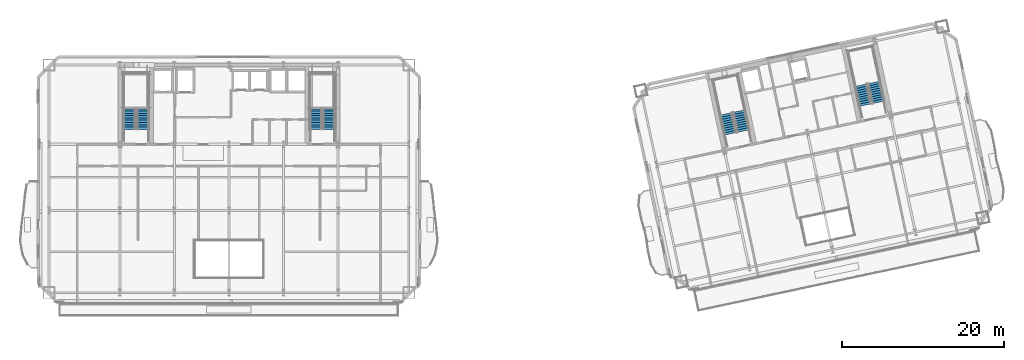
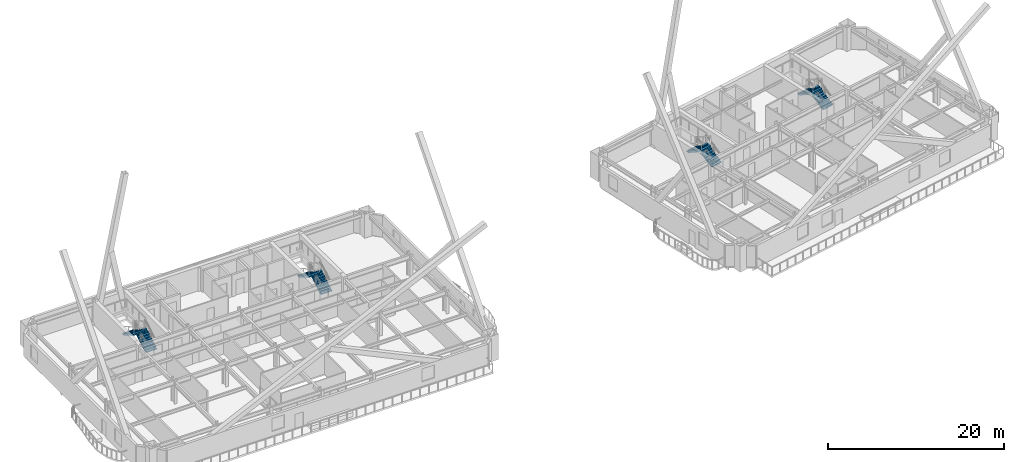
# One storey, part 16 of 22: 8 stair flights, 4 elements without a shape of their own.
"""IFC4 building model written with IfcOpenShell, lengths in metres."""

from ifc_helpers import new_model, si_unit, direction, frame, origin, place, context, subcontext, project, spatial, polyline, outline, extrude, material, type_object, element, aggregate, save


model = new_model("IFC4")

# Units and contexts
model_context = context("Model", 3, precision=1e-05, world=origin(), true_north=direction((0.0, 1.0)))
body_context = subcontext(model_context, "Body", "Model", "MODEL_VIEW")
ifc_project = project(units=[si_unit("LENGTHUNIT", "METRE"), si_unit("AREAUNIT", "SQUARE_METRE"), si_unit("VOLUMEUNIT", "CUBIC_METRE"), si_unit("PLANEANGLEUNIT", "RADIAN"), si_unit("MASSUNIT", "GRAM", prefix="KILO")], contexts=[model_context])

# Site, building, storey
site_placement = place(None, origin())
site = spatial("IfcSite", under=ifc_project, at=site_placement, CompositionType="ELEMENT")
building_placement = place(site_placement, origin())
building = spatial("IfcBuilding", under=site, at=building_placement, Name="Haevon Station Towers", CompositionType="ELEMENT")
storey_placement = place(building_placement, frame((0.0, 0.0, 93.300048828125)))
storey = spatial("IfcBuildingStorey", under=building, at=storey_placement, Name="L24", CompositionType="ELEMENT", Elevation=93.300048828125)

# Stair, stair flights
ifc_material = material(Name="Concrete C40/50", Category="concrete")
stair_type = type_object("IfcStairType", Name="STR-DL1450", PredefinedType="USERDEFINED", material=ifc_material)
stair_1_placement = place(storey_placement, origin())
stair_1 = element("IfcStair", 1, at=stair_1_placement, inside=storey, type_object=stair_type, Name="L24 Escape Stair ST1", ObjectType="TWO_RETURN_STAIR", PredefinedType="USERDEFINED")
stair_flight_type = type_object("IfcStairFlightType", Name="STF-ST1450", PredefinedType="STRAIGHT", material=ifc_material)
stair_flight_1_placement = place(storey_placement, frame((26.85498046875, 40.050048828125, 0.0), z_axis=(0.0, 0.0, 1.0), x_axis=(0.0, 1.0, 0.0)))
stair_flight_1 = element("IfcStairFlight", 2, at=stair_flight_1_placement, type_object=stair_flight_type, Name="L24 ST1 Flight 1", NumberOfRisers=10, NumberOfTreads=9, PredefinedType="STRAIGHT", RiserHeight=0.165, TreadLength=0.28, context=body_context, shape_type="SweptSolid", body=[
    extrude(outline(polyline([(0.0, 0.0), (0.0, 0.1650390625), (0.280029296875, 0.1650390625), (0.280029296875, 0.330078125), (0.56005859375, 0.330078125), (0.56005859375, 0.4951171875), (0.840087890625, 0.4951171875), (0.840087890625, 0.659912109375), (1.1201171875, 0.659912109375), (1.1201171875, 0.824951171875), (1.39990234375, 0.824951171875), (1.39990234375, 0.989990234375), (1.679931640625, 0.989990234375), (1.679931640625, 1.155029296875), (1.9599609375, 1.155029296875), (1.9599609375, 1.320068359375), (2.239990234375, 1.320068359375), (2.239990234375, 1.485107421875), (2.52001953125, 1.485107421875), (2.52001953125, 1.64990234375), (2.52001953125, 1.29931640625), (0.31494140625, 0.0), (0.0, 0.0)])), frame((0.0, 0.72509765625, 0.0), z_axis=(0.0, -1.0, 0.0), x_axis=(1.0, 0.0, 0.0)), (0.0, 0.0, 1.0), 1.449951171875),
])
stair_flight_2_placement = place(storey_placement, frame((25.205078125, 42.570068359375, 1.64990234375), z_axis=(0.0, 0.0, 1.0), x_axis=(0.0, -1.0, 0.0)))
stair_flight_2 = element("IfcStairFlight", 3, at=stair_flight_2_placement, type_object=stair_flight_type, Name="L24 ST1 Flight 2", NumberOfRisers=10, NumberOfTreads=9, PredefinedType="STRAIGHT", RiserHeight=0.165, TreadLength=0.28, context=body_context, shape_type="SweptSolid", body=[
    extrude(outline(polyline([(0.0, 0.0), (0.0, 0.1650390625), (0.280029296875, 0.1650390625), (0.280029296875, 0.330078125), (0.56005859375, 0.330078125), (0.56005859375, 0.4951171875), (0.840087890625, 0.4951171875), (0.840087890625, 0.659912109375), (1.1201171875, 0.659912109375), (1.1201171875, 0.824951171875), (1.39990234375, 0.824951171875), (1.39990234375, 0.989990234375), (1.679931640625, 0.989990234375), (1.679931640625, 1.155029296875), (1.9599609375, 1.155029296875), (1.9599609375, 1.320068359375), (2.239990234375, 1.320068359375), (2.239990234375, 1.485107421875), (2.52001953125, 1.485107421875), (2.52001953125, 1.64990234375), (2.52001953125, 1.29931640625), (0.31494140625, 0.0), (0.0, 0.0)])), frame((0.0, 0.72509765625, 0.0), z_axis=(0.0, -1.0, 0.0), x_axis=(1.0, 0.0, 0.0)), (0.0, 0.0, 1.0), 1.449951171875),
])
aggregate(stair_1, [stair_flight_1, stair_flight_2])

stair_2_placement = place(storey_placement, origin())
stair_2 = element("IfcStair", 4, at=stair_2_placement, inside=storey, type_object=stair_type, Name="L24 Escape Stair ST2", ObjectType="TWO_RETURN_STAIR", PredefinedType="USERDEFINED")
stair_flight_3_placement = place(storey_placement, frame((49.89501953125, 40.050048828125, 0.0), z_axis=(0.0, 0.0, 1.0), x_axis=(0.0, 1.0, 0.0)))
stair_flight_3 = element("IfcStairFlight", 5, at=stair_flight_3_placement, type_object=stair_flight_type, Name="L24 ST2 Flight 1", NumberOfRisers=10, NumberOfTreads=9, PredefinedType="STRAIGHT", RiserHeight=0.165, TreadLength=0.28, context=body_context, shape_type="SweptSolid", body=[
    extrude(outline(polyline([(0.0, 0.0), (0.0, 0.1650390625), (0.280029296875, 0.1650390625), (0.280029296875, 0.330078125), (0.56005859375, 0.330078125), (0.56005859375, 0.4951171875), (0.840087890625, 0.4951171875), (0.840087890625, 0.659912109375), (1.1201171875, 0.659912109375), (1.1201171875, 0.824951171875), (1.39990234375, 0.824951171875), (1.39990234375, 0.989990234375), (1.679931640625, 0.989990234375), (1.679931640625, 1.155029296875), (1.9599609375, 1.155029296875), (1.9599609375, 1.320068359375), (2.239990234375, 1.320068359375), (2.239990234375, 1.485107421875), (2.52001953125, 1.485107421875), (2.52001953125, 1.64990234375), (2.52001953125, 1.29931640625), (0.31494140625, 0.0), (0.0, 0.0)])), frame((0.0, 0.72509765625, 0.0), z_axis=(0.0, -1.0, 0.0), x_axis=(1.0, 0.0, 0.0)), (0.0, 0.0, 1.0), 1.449951171875),
])
stair_flight_4_placement = place(storey_placement, frame((48.2451171875, 42.570068359375, 1.64990234375), z_axis=(0.0, 0.0, 1.0), x_axis=(0.0, -1.0, 0.0)))
stair_flight_4 = element("IfcStairFlight", 6, at=stair_flight_4_placement, type_object=stair_flight_type, Name="L24 ST2 Flight 2", NumberOfRisers=10, NumberOfTreads=9, PredefinedType="STRAIGHT", RiserHeight=0.165, TreadLength=0.28, context=body_context, shape_type="SweptSolid", body=[
    extrude(outline(polyline([(0.0, 0.0), (0.0, 0.1650390625), (0.280029296875, 0.1650390625), (0.280029296875, 0.330078125), (0.56005859375, 0.330078125), (0.56005859375, 0.4951171875), (0.840087890625, 0.4951171875), (0.840087890625, 0.659912109375), (1.1201171875, 0.659912109375), (1.1201171875, 0.824951171875), (1.39990234375, 0.824951171875), (1.39990234375, 0.989990234375), (1.679931640625, 0.989990234375), (1.679931640625, 1.155029296875), (1.9599609375, 1.155029296875), (1.9599609375, 1.320068359375), (2.239990234375, 1.320068359375), (2.239990234375, 1.485107421875), (2.52001953125, 1.485107421875), (2.52001953125, 1.64990234375), (2.52001953125, 1.29931640625), (0.31494140625, 0.0), (0.0, 0.0)])), frame((0.0, 0.72509765625, 0.0), z_axis=(0.0, -1.0, 0.0), x_axis=(1.0, 0.0, 0.0)), (0.0, 0.0, 1.0), 1.449951171875),
])
aggregate(stair_2, [stair_flight_3, stair_flight_4])

stair_3_placement = place(storey_placement, origin())
stair_3 = element("IfcStair", 7, at=stair_3_placement, inside=storey, type_object=stair_type, Name="L24 Escape Stair ST3", ObjectType="TWO_RETURN_STAIR", PredefinedType="USERDEFINED")
stair_flight_5_placement = place(storey_placement, frame((101.1015625, 39.8330078125, 0.0), z_axis=(0.0, 0.0, 1.0), x_axis=(-0.207911690818, 0.978147600734, 0.0)))
stair_flight_5 = element("IfcStairFlight", 8, at=stair_flight_5_placement, type_object=stair_flight_type, Name="L24 ST3 Flight 1", NumberOfRisers=10, NumberOfTreads=9, PredefinedType="STRAIGHT", RiserHeight=0.165, TreadLength=0.28, context=body_context, shape_type="SweptSolid", body=[
    extrude(outline(polyline([(0.0, 0.0), (0.0, 0.1650390625), (0.280029296875, 0.1650390625), (0.280029296875, 0.330078125), (0.56005859375, 0.330078125), (0.56005859375, 0.4951171875), (0.840087890625, 0.4951171875), (0.840087890625, 0.659912109375), (1.1201171875, 0.659912109375), (1.1201171875, 0.824951171875), (1.39990234375, 0.824951171875), (1.39990234375, 0.989990234375), (1.679931640625, 0.989990234375), (1.679931640625, 1.155029296875), (1.9599609375, 1.155029296875), (1.9599609375, 1.320068359375), (2.239990234375, 1.320068359375), (2.239990234375, 1.485107421875), (2.52001953125, 1.485107421875), (2.52001953125, 1.64990234375), (2.52001953125, 1.29931640625), (0.31494140625, 0.0), (0.0, 0.0)])), frame((0.0, 0.72509765625, 0.0), z_axis=(0.0, -1.0, 0.0), x_axis=(1.0, 0.0, 0.0)), (0.0, 0.0, 1.0), 1.449951171875),
])
stair_flight_6_placement = place(storey_placement, frame((98.9638671875, 41.955078125, 1.64990234375), z_axis=(0.0, 0.0, 1.0), x_axis=(0.207911690818, -0.978147600734, 0.0)))
stair_flight_6 = element("IfcStairFlight", 9, at=stair_flight_6_placement, type_object=stair_flight_type, Name="L24 ST3 Flight 2", NumberOfRisers=10, NumberOfTreads=9, PredefinedType="STRAIGHT", RiserHeight=0.165, TreadLength=0.28, context=body_context, shape_type="SweptSolid", body=[
    extrude(outline(polyline([(0.0, 0.0), (0.0, 0.1650390625), (0.280029296875, 0.1650390625), (0.280029296875, 0.330078125), (0.56005859375, 0.330078125), (0.56005859375, 0.4951171875), (0.840087890625, 0.4951171875), (0.840087890625, 0.659912109375), (1.1201171875, 0.659912109375), (1.1201171875, 0.824951171875), (1.39990234375, 0.824951171875), (1.39990234375, 0.989990234375), (1.679931640625, 0.989990234375), (1.679931640625, 1.155029296875), (1.9599609375, 1.155029296875), (1.9599609375, 1.320068359375), (2.239990234375, 1.320068359375), (2.239990234375, 1.485107421875), (2.52001953125, 1.485107421875), (2.52001953125, 1.64990234375), (2.52001953125, 1.29931640625), (0.31494140625, 0.0), (0.0, 0.0)])), frame((0.0, 0.72509765625, 0.0), z_axis=(0.0, -1.0, 0.0), x_axis=(1.0, 0.0, 0.0)), (0.0, 0.0, 1.0), 1.449951171875),
])
aggregate(stair_3, [stair_flight_5, stair_flight_6])

stair_4_placement = place(storey_placement, origin())
stair_4 = element("IfcStair", 10, at=stair_4_placement, inside=storey, type_object=stair_type, Name="L24 Escape Stair ST4", ObjectType="TWO_RETURN_STAIR", PredefinedType="USERDEFINED")
stair_flight_7_placement = place(storey_placement, frame((117.788818359375, 43.380126953125, 0.0), z_axis=(0.0, 0.0, 1.0), x_axis=(-0.207911690818, 0.978147600734, 0.0)))
stair_flight_7 = element("IfcStairFlight", 11, at=stair_flight_7_placement, type_object=stair_flight_type, Name="L24 ST4 Flight 1", NumberOfRisers=10, NumberOfTreads=9, PredefinedType="STRAIGHT", RiserHeight=0.165, TreadLength=0.28, context=body_context, shape_type="SweptSolid", body=[
    extrude(outline(polyline([(0.0, 0.0), (0.0, 0.1650390625), (0.280029296875, 0.1650390625), (0.280029296875, 0.330078125), (0.56005859375, 0.330078125), (0.56005859375, 0.4951171875), (0.840087890625, 0.4951171875), (0.840087890625, 0.659912109375), (1.1201171875, 0.659912109375), (1.1201171875, 0.824951171875), (1.39990234375, 0.824951171875), (1.39990234375, 0.989990234375), (1.679931640625, 0.989990234375), (1.679931640625, 1.155029296875), (1.9599609375, 1.155029296875), (1.9599609375, 1.320068359375), (2.239990234375, 1.320068359375), (2.239990234375, 1.485107421875), (2.52001953125, 1.485107421875), (2.52001953125, 1.64990234375), (2.52001953125, 1.29931640625), (0.31494140625, 0.0), (0.0, 0.0)])), frame((0.0, 0.72509765625, 0.0), z_axis=(0.0, -1.0, 0.0), x_axis=(1.0, 0.0, 0.0)), (0.0, 0.0, 1.0), 1.449951171875),
])
stair_flight_8_placement = place(storey_placement, frame((115.65087890625, 45.501953125, 1.64990234375), z_axis=(0.0, 0.0, 1.0), x_axis=(0.207911690818, -0.978147600734, 0.0)))
stair_flight_8 = element("IfcStairFlight", 12, at=stair_flight_8_placement, type_object=stair_flight_type, Name="L24 ST4 Flight 2", NumberOfRisers=10, NumberOfTreads=9, PredefinedType="STRAIGHT", RiserHeight=0.165, TreadLength=0.28, context=body_context, shape_type="SweptSolid", body=[
    extrude(outline(polyline([(0.0, 0.0), (0.0, 0.1650390625), (0.280029296875, 0.1650390625), (0.280029296875, 0.330078125), (0.56005859375, 0.330078125), (0.56005859375, 0.4951171875), (0.840087890625, 0.4951171875), (0.840087890625, 0.659912109375), (1.1201171875, 0.659912109375), (1.1201171875, 0.824951171875), (1.39990234375, 0.824951171875), (1.39990234375, 0.989990234375), (1.679931640625, 0.989990234375), (1.679931640625, 1.155029296875), (1.9599609375, 1.155029296875), (1.9599609375, 1.320068359375), (2.239990234375, 1.320068359375), (2.239990234375, 1.485107421875), (2.52001953125, 1.485107421875), (2.52001953125, 1.64990234375), (2.52001953125, 1.29931640625), (0.31494140625, 0.0), (0.0, 0.0)])), frame((0.0, 0.72509765625, 0.0), z_axis=(0.0, -1.0, 0.0), x_axis=(1.0, 0.0, 0.0)), (0.0, 0.0, 1.0), 1.449951171875),
])
aggregate(stair_4, [stair_flight_7, stair_flight_8])

save(model, "model.ifc")
